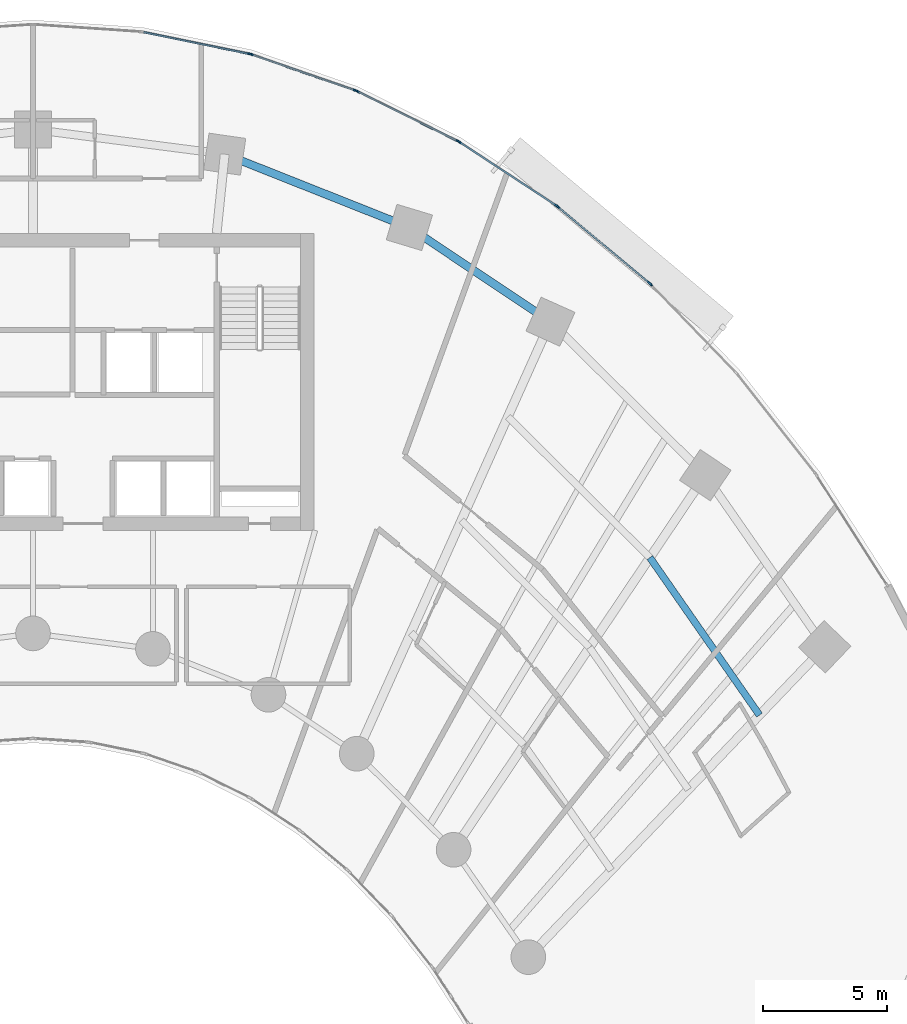
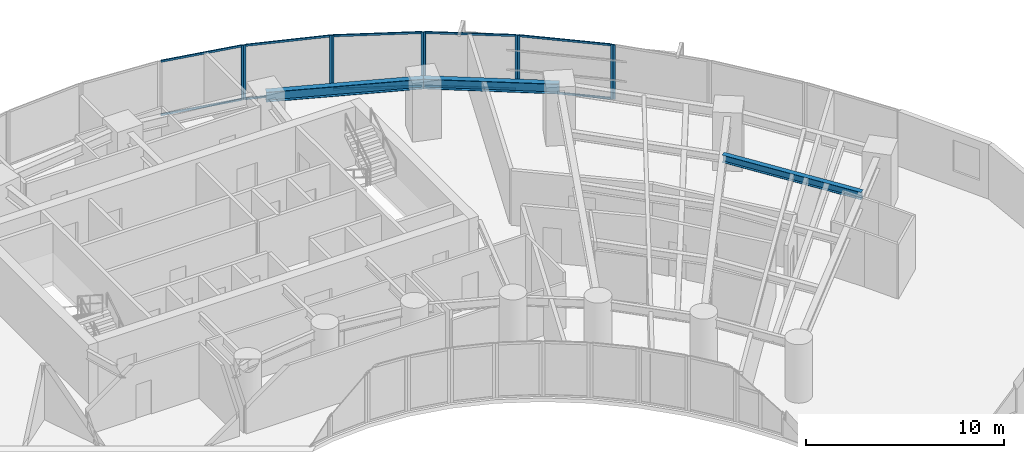
# One storey, part 7 of 17: 20 members, 3 beams, 6 elements without a shape of their own.
"""IFC4 building model written with IfcOpenShell, lengths in metres."""

from ifc_helpers import new_model, si_unit, direction, frame, origin, origin_2d, place, context, subcontext, project, spatial, rectangle, i_section, extrude, source, transform, mapped, material, layer, layer_set, material_profile, profile_set, type_object, element, aggregate, save


model = new_model("IFC4")

# Units and contexts
model_context = context("Model", 3, precision=1e-05, world=origin(), true_north=direction((0.0, 1.0)))
body_context = subcontext(model_context, "Body", "Model", "MODEL_VIEW")
ifc_project = project(units=[si_unit("LENGTHUNIT", "METRE"), si_unit("AREAUNIT", "SQUARE_METRE"), si_unit("VOLUMEUNIT", "CUBIC_METRE"), si_unit("PLANEANGLEUNIT", "RADIAN"), si_unit("MASSUNIT", "GRAM", prefix="KILO")], contexts=[model_context])

# Site, building, storey
site_placement = place(None, origin())
site = spatial("IfcSite", under=ifc_project, at=site_placement, CompositionType="ELEMENT")
building_placement = place(site_placement, origin())
building = spatial("IfcBuilding", under=site, at=building_placement, Name="Breltana Convention Tower", CompositionType="ELEMENT")
storey_placement = place(building_placement, frame((0.0, 0.0, 67.800048828125)))
storey = spatial("IfcBuildingStorey", under=building, at=storey_placement, Name="L15", CompositionType="ELEMENT", Elevation=67.800048828125)

# Beams
ifc_material_1 = material(Name="Steel ASTM A992 Grade 50", Category="steel")
ifc_material_profile_1 = material_profile(ifc_material_1, i_section(OverallWidth=0.323974609375, OverallDepth=0.611083984375, WebThickness=0.0126953125, FlangeThickness=0.01904296875, at=origin_2d()), Name="W24X104")
ifc_profile_set_1 = profile_set([ifc_material_profile_1], Name="Steel ASTM A992 Grade 50")
beam_type_1 = type_object("IfcBeamType", Name="BM-SP-W24X104", PredefinedType="SPANDREL", material=ifc_profile_set_1)
shared_shape_1 = source(origin(), body_context, "Body", "SweptSolid", [
    extrude(i_section(OverallWidth=0.323974609375, OverallDepth=0.611083984375, WebThickness=0.0126953125, FlangeThickness=0.01904296875, at=origin_2d()), origin(), (0.0, 0.0, 1.0), 8.028564453125),
])
beam_1_placement = place(storey_placement, frame((55.746826171875, 75.404296875, 3.054443359375), z_axis=(0.929459100394, -0.368925169507, 0.0), x_axis=(0.368925169507, 0.929459100394, 0.0)))
element("IfcBeam", 1, at=beam_1_placement, inside=storey, type_object=beam_type_1, Name="L15 Outer Spandrel Beam 07", PredefinedType="SPANDREL", context=body_context, shape_type="MappedRepresentation", body=[
    mapped(shared_shape_1, transform((0.0, 0.0, 0.0), scale=1.0)),
])
shared_shape_2 = source(origin(), body_context, "Body", "SweptSolid", [
    extrude(i_section(OverallWidth=0.323974609375, OverallDepth=0.611083984375, WebThickness=0.0126953125, FlangeThickness=0.01904296875, at=origin_2d()), origin(), (0.0, 0.0, 1.0), 6.856689453125),
])
beam_2_placement = place(storey_placement, frame((63.208984375, 72.4423828125, 3.054443359375), z_axis=(0.83150210718, -0.55552159792, 0.0), x_axis=(0.55552159792, 0.83150210718, 0.0)))
element("IfcBeam", 2, at=beam_2_placement, inside=storey, type_object=beam_type_1, Name="L15 Outer Spandrel Beam 08", PredefinedType="SPANDREL", context=body_context, shape_type="MappedRepresentation", body=[
    mapped(shared_shape_2, transform((0.0, 0.0, 0.0), scale=1.0)),
])
ifc_material_profile_2 = material_profile(ifc_material_1, i_section(OverallWidth=0.280029296875, OverallDepth=0.462890625, WebThickness=0.0107421875, FlangeThickness=0.017333984375, at=origin_2d()), Name="W18X76")
ifc_profile_set_2 = profile_set([ifc_material_profile_2], Name="Steel ASTM A992 Grade 50")
beam_type_2 = type_object("IfcBeamType", Name="BM-JSG-06", PredefinedType="JOIST", material=ifc_profile_set_2)
shared_shape_3 = source(origin(), body_context, "Body", "SweptSolid", [
    extrude(i_section(OverallWidth=0.280029296875, OverallDepth=0.462890625, WebThickness=0.0107421875, FlangeThickness=0.017333984375, at=origin_2d()), origin(), (0.0, 0.0, 1.0), 7.75390625),
])
beam_3_placement = place(storey_placement, frame((72.92919921875, 59.10009765625, 3.12841796875), z_axis=(0.57119271264, -0.820815987312, 0.0), x_axis=(0.820815987312, 0.57119271264, 0.0)))
element("IfcBeam", 3, at=beam_3_placement, inside=storey, type_object=beam_type_2, Name="L15 Composite Floor Joist 10.3", PredefinedType="JOIST", context=body_context, shape_type="MappedRepresentation", body=[
    mapped(shared_shape_3, transform((0.0, 0.0, 0.0), scale=1.0)),
])

# Curtain wall, members
ifc_material_2 = material(Name="Aluminium Anodised Bronze Frame", Category="aluminium")
ifc_layer = layer(ifc_material_2, 0.199951171875, Name="Aluminium Anodised Bronze Frame")
ifc_layer_set = layer_set([ifc_layer], Name="Aluminium Anodised Bronze Frame")
curtain_wall_type = type_object("IfcCurtainWallType", Name="CW-SYS-2", PredefinedType="NOTDEFINED", material=ifc_layer_set)
curtain_wall_1_placement = place(storey_placement, origin())
curtain_wall_1 = element("IfcCurtainWall", 4, at=curtain_wall_1_placement, inside=storey, type_object=curtain_wall_type, Name="L15 outer double-skin inner glazing 15", PredefinedType="NOTDEFINED")
ifc_material_3 = material(Name="Aluminium Anodised Bronze", Category="aluminium")
ifc_material_profile_3 = material_profile(ifc_material_3, rectangle(XDim=0.070068359375, YDim=0.1201171875, at=origin_2d()), Name="CWT-70X120")
ifc_profile_set_3 = profile_set([ifc_material_profile_3], Name="Aluminium Anodised Bronze")
member_type_1 = type_object("IfcMemberType", Name="CWT-120", PredefinedType="USERDEFINED", material=ifc_profile_set_3)
shared_shape_4 = source(origin(), body_context, "Body", "SweptSolid", [
    extrude(rectangle(XDim=0.070068359375, YDim=0.1201171875, at=origin_2d()), origin(), (0.0, 0.0, 1.0), 4.7509765625),
])
member_1_placement = place(storey_placement, frame((69.2294921875, 73.2607421875, 0.034912109375), z_axis=(0.767951631807, -0.64050783852, 0.0), x_axis=(0.64050783852, 0.767951631807, 0.0)))
member_1 = element("IfcMember", 5, at=member_1_placement, type_object=member_type_1, Name="CW-02 transom 1.1", ObjectType="TRANSOM", PredefinedType="USERDEFINED", context=body_context, shape_type="MappedRepresentation", body=[
    mapped(shared_shape_4, transform((0.0, 0.0, 0.0), scale=1.0)),
])
member_2_placement = place(storey_placement, frame((69.2294921875, 73.2607421875, 3.324951171875), z_axis=(0.767951631807, -0.64050783852, 0.0), x_axis=(0.64050783852, 0.767951631807, 0.0)))
member_2 = element("IfcMember", 6, at=member_2_placement, type_object=member_type_1, Name="CW-02 transom 1.2", ObjectType="TRANSOM", PredefinedType="USERDEFINED", context=body_context, shape_type="MappedRepresentation", body=[
    mapped(shared_shape_4, transform((0.0, 0.0, 0.0), scale=1.0)),
])

curtain_wall_2_placement = place(storey_placement, origin())
curtain_wall_2 = element("IfcCurtainWall", 7, at=curtain_wall_2_placement, inside=storey, type_object=curtain_wall_type, Name="L15 outer double-skin inner glazing 14", PredefinedType="NOTDEFINED")
shared_shape_5 = source(origin(), body_context, "Body", "SweptSolid", [
    extrude(rectangle(XDim=0.070068359375, YDim=0.1201171875, at=origin_2d()), origin(), (0.0, 0.0, 1.0), 4.610595703125),
])
member_3_placement = place(storey_placement, frame((65.262939453125, 75.874267578125, 0.034912109375), z_axis=(0.835956055104, -0.54879638659, 0.0), x_axis=(0.54879638659, 0.835956055104, 0.0)))
member_3 = element("IfcMember", 8, at=member_3_placement, type_object=member_type_1, Name="CW-02 transom 1.1", ObjectType="TRANSOM", PredefinedType="USERDEFINED", context=body_context, shape_type="MappedRepresentation", body=[
    mapped(shared_shape_5, transform((0.0, 0.0, 0.0), scale=1.0)),
])
member_4_placement = place(storey_placement, frame((65.262939453125, 75.874267578125, 3.324951171875), z_axis=(0.835956055104, -0.54879638659, 0.0), x_axis=(0.54879638659, 0.835956055104, 0.0)))
member_4 = element("IfcMember", 9, at=member_4_placement, type_object=member_type_1, Name="CW-02 transom 1.2", ObjectType="TRANSOM", PredefinedType="USERDEFINED", context=body_context, shape_type="MappedRepresentation", body=[
    mapped(shared_shape_5, transform((0.0, 0.0, 0.0), scale=1.0)),
])

curtain_wall_3_placement = place(storey_placement, origin())
curtain_wall_3 = element("IfcCurtainWall", 10, at=curtain_wall_3_placement, inside=storey, type_object=curtain_wall_type, Name="L15 outer double-skin inner glazing 13", PredefinedType="NOTDEFINED")
shared_shape_6 = source(origin(), body_context, "Body", "SweptSolid", [
    extrude(rectangle(XDim=0.070068359375, YDim=0.1201171875, at=origin_2d()), origin(), (0.0, 0.0, 1.0), 4.487548828125),
])
member_5_placement = place(storey_placement, frame((61.120849609375, 77.936767578125, 0.034912109375), z_axis=(0.895977728863, -0.444098986017, 0.0), x_axis=(0.444098986017, 0.895977728863, 0.0)))
member_5 = element("IfcMember", 11, at=member_5_placement, type_object=member_type_1, Name="CW-02 transom 1.1", ObjectType="TRANSOM", PredefinedType="USERDEFINED", context=body_context, shape_type="MappedRepresentation", body=[
    mapped(shared_shape_6, transform((0.0, 0.0, 0.0), scale=1.0)),
])
member_6_placement = place(storey_placement, frame((61.120849609375, 77.936767578125, 3.324951171875), z_axis=(0.895977728863, -0.444098986017, 0.0), x_axis=(0.444098986017, 0.895977728863, 0.0)))
member_6 = element("IfcMember", 12, at=member_6_placement, type_object=member_type_1, Name="CW-02 transom 1.2", ObjectType="TRANSOM", PredefinedType="USERDEFINED", context=body_context, shape_type="MappedRepresentation", body=[
    mapped(shared_shape_6, transform((0.0, 0.0, 0.0), scale=1.0)),
])

curtain_wall_4_placement = place(storey_placement, origin())
curtain_wall_4 = element("IfcCurtainWall", 13, at=curtain_wall_4_placement, inside=storey, type_object=curtain_wall_type, Name="L15 outer double-skin inner glazing 12", PredefinedType="NOTDEFINED")
shared_shape_7 = source(origin(), body_context, "Body", "SweptSolid", [
    extrude(rectangle(XDim=0.070068359375, YDim=0.1201171875, at=origin_2d()), origin(), (0.0, 0.0, 1.0), 4.38818359375),
])
member_7_placement = place(storey_placement, frame((56.845703125, 79.427490234375, 0.034912109375), z_axis=(0.944878203019, -0.32742202348, 0.0), x_axis=(0.32742202348, 0.944878203019, 0.0)))
member_7 = element("IfcMember", 14, at=member_7_placement, type_object=member_type_1, Name="CW-02 transom 1.1", ObjectType="TRANSOM", PredefinedType="USERDEFINED", context=body_context, shape_type="MappedRepresentation", body=[
    mapped(shared_shape_7, transform((0.0, 0.0, 0.0), scale=1.0)),
])
member_8_placement = place(storey_placement, frame((56.845703125, 79.427490234375, 3.324951171875), z_axis=(0.944878203019, -0.32742202348, 0.0), x_axis=(0.32742202348, 0.944878203019, 0.0)))
member_8 = element("IfcMember", 15, at=member_8_placement, type_object=member_type_1, Name="CW-02 transom 1.2", ObjectType="TRANSOM", PredefinedType="USERDEFINED", context=body_context, shape_type="MappedRepresentation", body=[
    mapped(shared_shape_7, transform((0.0, 0.0, 0.0), scale=1.0)),
])

curtain_wall_5_placement = place(storey_placement, origin())
curtain_wall_5 = element("IfcCurtainWall", 16, at=curtain_wall_5_placement, inside=storey, type_object=curtain_wall_type, Name="L15 outer double-skin inner glazing 11", PredefinedType="NOTDEFINED")
shared_shape_8 = source(origin(), body_context, "Body", "SweptSolid", [
    extrude(rectangle(XDim=0.070068359375, YDim=0.1201171875, at=origin_2d()), origin(), (0.0, 0.0, 1.0), 4.318359375),
])
member_9_placement = place(storey_placement, frame((52.480712890625, 80.33203125, 0.034912109375), z_axis=(0.979616680923, -0.200875977799, 0.0), x_axis=(0.200875977799, 0.979616680923, 0.0)))
member_9 = element("IfcMember", 17, at=member_9_placement, type_object=member_type_1, Name="CW-02 transom 1.1", ObjectType="TRANSOM", PredefinedType="USERDEFINED", context=body_context, shape_type="MappedRepresentation", body=[
    mapped(shared_shape_8, transform((0.0, 0.0, 0.0), scale=1.0)),
])
member_10_placement = place(storey_placement, frame((52.480712890625, 80.33203125, 3.324951171875), z_axis=(0.979616680923, -0.200875977799, 0.0), x_axis=(0.200875977799, 0.979616680923, 0.0)))
member_10 = element("IfcMember", 18, at=member_10_placement, type_object=member_type_1, Name="CW-02 transom 1.2", ObjectType="TRANSOM", PredefinedType="USERDEFINED", context=body_context, shape_type="MappedRepresentation", body=[
    mapped(shared_shape_8, transform((0.0, 0.0, 0.0), scale=1.0)),
])
ifc_material_profile_4 = material_profile(ifc_material_3, rectangle(XDim=0.070068359375, YDim=0.175048828125, at=origin_2d()), Name="CWM-70X175")
ifc_profile_set_4 = profile_set([ifc_material_profile_4], Name="Aluminium Anodised Bronze")
member_type_2 = type_object("IfcMemberType", Name="CWM-175", PredefinedType="MULLION", material=ifc_profile_set_4)
shared_shape_9 = source(origin(), body_context, "Body", "SweptSolid", [
    extrude(rectangle(XDim=0.070068359375, YDim=0.175048828125, at=origin_2d()), origin(), (0.0, 0.0, 1.0), 3.35986328125),
])
member_11_placement = place(storey_placement, frame((56.7451171875, 79.45751953125, 0.0), z_axis=(0.0, 0.0, 1.0), x_axis=(0.200884537139, 0.979614925743, 0.0)))
member_11 = element("IfcMember", 19, at=member_11_placement, type_object=member_type_2, Name="CW-02 mullion 2", PredefinedType="MULLION", context=body_context, shape_type="MappedRepresentation", body=[
    mapped(shared_shape_9, transform((0.0, 0.0, 0.0), scale=1.0)),
])
aggregate(curtain_wall_5, [member_11, member_9, member_10])

# Member
member_12_placement = place(storey_placement, frame((56.8125, 79.43896484375, 0.0), z_axis=(0.0, 0.0, 1.0), x_axis=(0.32742834581, 0.944876012163, 0.0)))
member_12 = element("IfcMember", 20, at=member_12_placement, type_object=member_type_2, Name="CW-02 mullion 1", PredefinedType="MULLION", context=body_context, shape_type="MappedRepresentation", body=[
    mapped(shared_shape_9, transform((0.0, 0.0, 0.0), scale=1.0)),
])

member_13_placement = place(storey_placement, frame((61.025146484375, 77.979248046875, 0.0), z_axis=(0.0, 0.0, 1.0), x_axis=(0.32742834581, 0.944876012163, 0.0)))
member_13 = element("IfcMember", 21, at=member_13_placement, type_object=member_type_2, Name="CW-02 mullion 2", PredefinedType="MULLION", context=body_context, shape_type="MappedRepresentation", body=[
    mapped(shared_shape_9, transform((0.0, 0.0, 0.0), scale=1.0)),
])

aggregate(curtain_wall_4, [member_12, member_13, member_7, member_8])

member_14_placement = place(storey_placement, frame((61.089599609375, 77.9521484375, 0.0), z_axis=(0.0, 0.0, 1.0), x_axis=(0.444107703726, 0.895973407804, 0.0)))
member_14 = element("IfcMember", 22, at=member_14_placement, type_object=member_type_2, Name="CW-02 mullion 1", PredefinedType="MULLION", context=body_context, shape_type="MappedRepresentation", body=[
    mapped(shared_shape_9, transform((0.0, 0.0, 0.0), scale=1.0)),
])

member_15_placement = place(storey_placement, frame((65.1728515625, 75.92822265625, 0.0), z_axis=(0.0, 0.0, 1.0), x_axis=(0.444107703726, 0.895973407804, 0.0)))
member_15 = element("IfcMember", 23, at=member_15_placement, type_object=member_type_2, Name="CW-02 mullion 2", PredefinedType="MULLION", context=body_context, shape_type="MappedRepresentation", body=[
    mapped(shared_shape_9, transform((0.0, 0.0, 0.0), scale=1.0)),
])

aggregate(curtain_wall_3, [member_14, member_15, member_5, member_6])

member_16_placement = place(storey_placement, frame((65.233642578125, 75.8935546875, 0.0), z_axis=(0.0, 0.0, 1.0), x_axis=(0.548784255746, 0.83596401875, 0.0)))
member_16 = element("IfcMember", 24, at=member_16_placement, type_object=member_type_2, Name="CW-02 mullion 1", PredefinedType="MULLION", context=body_context, shape_type="MappedRepresentation", body=[
    mapped(shared_shape_9, transform((0.0, 0.0, 0.0), scale=1.0)),
])

member_17_placement = place(storey_placement, frame((69.146484375, 73.32470703125, 0.0), z_axis=(0.0, 0.0, 1.0), x_axis=(0.548784255746, 0.83596401875, 0.0)))
member_17 = element("IfcMember", 25, at=member_17_placement, type_object=member_type_2, Name="CW-02 mullion 2", PredefinedType="MULLION", context=body_context, shape_type="MappedRepresentation", body=[
    mapped(shared_shape_9, transform((0.0, 0.0, 0.0), scale=1.0)),
])

aggregate(curtain_wall_2, [member_16, member_17, member_3, member_4])

member_18_placement = place(storey_placement, frame((69.20263671875, 73.283203125, 0.0), z_axis=(0.0, 0.0, 1.0), x_axis=(0.640520193554, 0.767941326958, 0.0)))
member_18 = element("IfcMember", 26, at=member_18_placement, type_object=member_type_2, Name="CW-02 mullion 1", PredefinedType="MULLION", context=body_context, shape_type="MappedRepresentation", body=[
    mapped(shared_shape_9, transform((0.0, 0.0, 0.0), scale=1.0)),
])

member_19_placement = place(storey_placement, frame((72.90478515625, 70.1953125, 0.0), z_axis=(0.0, 0.0, 1.0), x_axis=(0.640520193554, 0.767941326958, 0.0)))
member_19 = element("IfcMember", 27, at=member_19_placement, type_object=member_type_2, Name="CW-02 mullion 2", PredefinedType="MULLION", context=body_context, shape_type="MappedRepresentation", body=[
    mapped(shared_shape_9, transform((0.0, 0.0, 0.0), scale=1.0)),
])

aggregate(curtain_wall_1, [member_18, member_19, member_1, member_2])

# Curtain wall, member
curtain_wall_6_placement = place(storey_placement, origin())
curtain_wall_6 = element("IfcCurtainWall", 28, at=curtain_wall_6_placement, inside=storey, type_object=curtain_wall_type, Name="L15 outer double-skin inner glazing 16", PredefinedType="NOTDEFINED")
member_20_placement = place(storey_placement, frame((72.955810546875, 70.147705078125, 0.0), z_axis=(0.0, 0.0, 1.0), x_axis=(0.719386421003, 0.694610090106, 0.0)))
member_20 = element("IfcMember", 29, at=member_20_placement, type_object=member_type_2, Name="CW-02 mullion 1", PredefinedType="MULLION", context=body_context, shape_type="MappedRepresentation", body=[
    mapped(shared_shape_9, transform((0.0, 0.0, 0.0), scale=1.0)),
])
aggregate(curtain_wall_6, [member_20])

save(model, "model.ifc")
